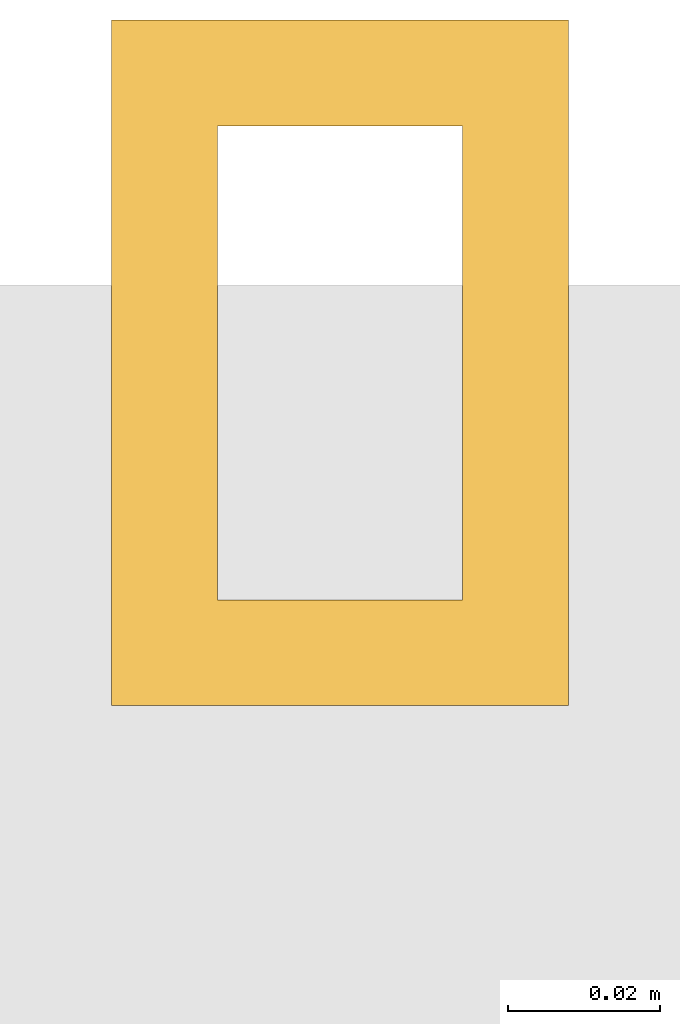
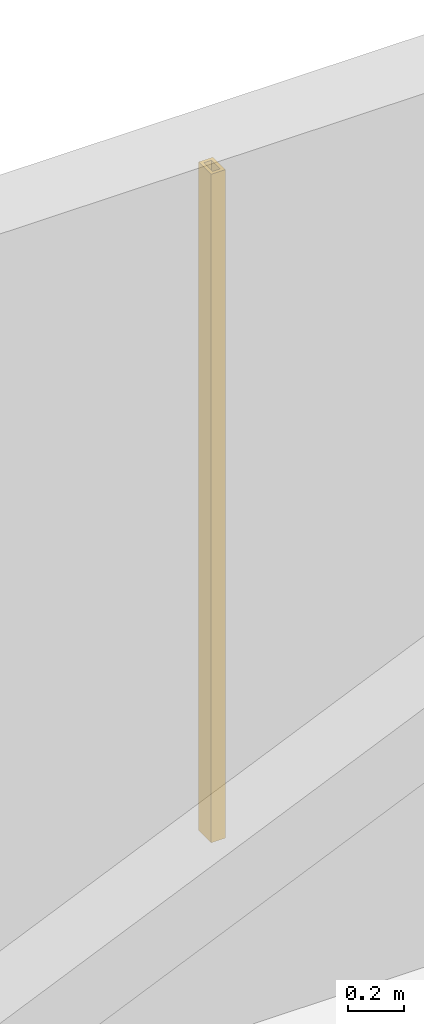
# One storey, part 40 of 41: 1 shading device.
"""IFC4 building model written with IfcOpenShell, lengths in metres."""

import ifcopenshell
import ifcopenshell.guid

model = None  # the IFC model being written
_history = None  # IfcOwnerHistory: only IFC2X3 demands one
_inside = {}  # id of a spatial element -> (the spatial element, [elements in it])
_under = {}  # id of a project, library or spatial element -> (it, [spatial elements below it])
_declared = {}  # id of a project -> (the project, [libraries it declares])
_typed = {}  # id of a type object -> (the type object, [elements of that type])
_made_of = {}  # id of a material, layer set ... -> (it, [elements and type objects made of it])


def new_model(schema):
    """Start an empty IFC model of exactly this schema.

    Asked for "IFC4X3", IfcOpenShell would pick the latest addendum, in which some entities
    have other attributes; the version numbers below select the first issue.
    IFC2X3 requires an IfcOwnerHistory on every rooted entity: one is made here for all.
    """
    global model, _history
    if schema == "IFC4X3":
        model = ifcopenshell.file(schema_version=(4, 3, 0, 0))
    else:
        model = ifcopenshell.file(schema=schema)
    _inside.clear()
    _under.clear()
    _declared.clear()
    _typed.clear()
    _made_of.clear()
    _history = None
    if model.schema == "IFC2X3":
        org = make("IfcOrganization", Name="unknown")
        user = make(
            "IfcPersonAndOrganization",
            ThePerson=make("IfcPerson", FamilyName="unknown"),
            TheOrganization=org,
        )
        app = make(
            "IfcApplication",
            ApplicationDeveloper=org,
            Version="unknown",
            ApplicationFullName="unknown",
            ApplicationIdentifier="unknown",
        )
        _history = make(
            "IfcOwnerHistory",
            OwningUser=user,
            OwningApplication=app,
            ChangeAction="ADDED",
            CreationDate=0,
        )
    return model


def make(cls, **values):
    """One entity of the class cls with the attributes given. An attribute that is None is left unset."""
    return model.create_entity(
        cls, **{name: value for name, value in values.items() if value is not None}
    )


def rooted(cls, **values):
    """An entity with a GlobalId (a new one), such as an element, a storey or a relation."""
    return make(cls, GlobalId=ifcopenshell.guid.new(), OwnerHistory=_history, **values)


def si_unit(unit_type, name, prefix=None):
    """IfcSIUnit, for example si_unit("LENGTHUNIT", "METRE", prefix="MILLI")."""
    return make("IfcSIUnit", UnitType=unit_type, Prefix=prefix, Name=name)


def assignment(units):
    """IfcUnitAssignment: the units of a project."""
    return None if units is None else make("IfcUnitAssignment", Units=units)


def point(xyz):
    """IfcCartesianPoint."""
    return None if xyz is None else make("IfcCartesianPoint", Coordinates=xyz)


def direction(xyz):
    """IfcDirection."""
    return None if xyz is None else make("IfcDirection", DirectionRatios=xyz)


def frame(location, z_axis=None, x_axis=None):
    """IfcAxis2Placement3D, a coordinate frame: its origin and axes. An axis left out is left unset."""
    return make(
        "IfcAxis2Placement3D",
        Location=point(location),
        Axis=direction(z_axis),
        RefDirection=direction(x_axis),
    )


def frame_2d(location, x_axis=None):
    """IfcAxis2Placement2D, a coordinate frame in the plane: its origin and x axis."""
    return make(
        "IfcAxis2Placement2D", Location=point(location), RefDirection=direction(x_axis)
    )


def origin():
    """The frame at (0, 0, 0) with its axes left unset."""
    return frame((0.0, 0.0, 0.0))


def origin_2d():
    """The frame at (0, 0) in the plane with its x axis left unset."""
    return frame_2d((0.0, 0.0))


def place(relative_to, where):
    """IfcLocalPlacement: puts the frame where relative to a parent placement (None: the world)."""
    return make(
        "IfcLocalPlacement", PlacementRelTo=relative_to, RelativePlacement=where
    )


def context(
    kind, dimensions, precision=None, world=None, true_north=None, identifier=None
):
    """IfcGeometricRepresentationContext, for example the 3D "Model" context."""
    return make(
        "IfcGeometricRepresentationContext",
        ContextIdentifier=identifier,
        ContextType=kind,
        CoordinateSpaceDimension=dimensions,
        Precision=precision,
        WorldCoordinateSystem=world,
        TrueNorth=true_north,
    )


def subcontext(parent, identifier, kind, view, scale=None):
    """IfcGeometricRepresentationSubContext, for example "Body" below "Model"."""
    return make(
        "IfcGeometricRepresentationSubContext",
        ContextIdentifier=identifier,
        ContextType=kind,
        ParentContext=parent,
        TargetScale=scale,
        TargetView=view,
    )


def project(units=None, contexts=None):
    """IfcProject with its units and contexts."""
    return rooted(
        "IfcProject",
        Name="project",
        RepresentationContexts=contexts,
        UnitsInContext=assignment(units),
    )


def spatial(cls, under=None, at=None, **own):
    """A site, building, storey or space (cls), placed at a placement, below another one or the project."""
    s = rooted(cls, ObjectPlacement=at, **own)
    if under is not None:
        _under.setdefault(under.id(), (under, []))[1].append(s)
    return s


def profile(cls, at=None, kind="AREA", **sizes):
    """A parametric profile (cls). Its sizes go by their IFC names, for example OverallWidth=200.0."""
    return make(cls, ProfileType=kind, Position=at, **sizes)


def hollow_rectangle(**sizes):
    """IfcRectangleHollowProfileDef."""
    return profile("IfcRectangleHollowProfileDef", **sizes)


def extrude(swept, where, along, depth):
    """IfcExtrudedAreaSolid: the profile swept, set in the frame where, extruded along a direction by depth."""
    return make(
        "IfcExtrudedAreaSolid",
        SweptArea=swept,
        Position=where,
        ExtrudedDirection=direction(along),
        Depth=depth,
    )


def shape(context_of_items, identifier, shape_type, items):
    """IfcShapeRepresentation: the items that make up one representation, for example the "Body"."""
    return make(
        "IfcShapeRepresentation",
        ContextOfItems=context_of_items,
        RepresentationIdentifier=identifier,
        RepresentationType=shape_type,
        Items=items,
    )


def material(Name=None, Category=None):
    """IfcMaterial."""
    return make("IfcMaterial", Name=Name, Category=Category)


def material_profile(
    of_material, cross_section, Name=None, Category=None, Priority=None
):
    """IfcMaterialProfile: a cross section and its material."""
    return make(
        "IfcMaterialProfile",
        Name=Name,
        Material=of_material,
        Profile=cross_section,
        Priority=Priority,
        Category=Category,
    )


def profile_set(profiles, Name=None, composite=None):
    """IfcMaterialProfileSet."""
    return make(
        "IfcMaterialProfileSet",
        Name=Name,
        MaterialProfiles=profiles,
        CompositeProfile=composite,
    )


def made_of(thing, what):
    """Note that an element or type object is made of a material, layer set ...; save() writes the relation."""
    if what is not None:
        _made_of.setdefault(what.id(), (what, []))[1].append(thing)
    return thing


def type_object(cls, material=None, **own):
    """A type object (cls), such as IfcWallType, which elements share."""
    return made_of(rooted(cls, **own), material)


def element(
    cls,
    number,
    at=None,
    inside=None,
    cuts=None,
    type_object=None,
    material=None,
    context=None,
    identifier="Body",
    shape_type=None,
    held_by="IfcProductDefinitionShape",
    body=None,
    shapes=None,
    **own,
):
    """One element of the class cls, such as IfcWall. Its Tag is "e" and its number.

    at: its placement. inside: the storey or other place that contains it. cuts: it is an
    opening in that element (IfcRelVoidsElement). A single representation is given by context,
    identifier, shape_type and body (its items); several are given by shapes. held_by: the class
    of the entity that holds the representations. save() writes the other relations.
    """
    e = rooted(cls, Tag="e%d" % number, ObjectPlacement=at, **own)
    if body is not None:
        shapes = [shape(context, identifier, shape_type, body)]
    if shapes is not None:
        e.Representation = make(held_by, Representations=shapes)
    if inside is not None:
        _inside.setdefault(inside.id(), (inside, []))[1].append(e)
    if cuts is not None:
        rooted(
            "IfcRelVoidsElement", RelatingBuildingElement=cuts, RelatedOpeningElement=e
        )
    if type_object is not None:
        _typed.setdefault(type_object.id(), (type_object, []))[1].append(e)
    return made_of(e, material)


def aggregate(whole, parts):
    """IfcRelAggregates: a whole, such as a stair, and the parts it consists of."""
    return rooted("IfcRelAggregates", RelatingObject=whole, RelatedObjects=parts)


def save(model, path):
    """Write the relations noted so far, then the file.

    IfcRelAggregates (storeys below a building ...), IfcRelContainedInSpatialStructure (elements
    in a storey), IfcRelDefinesByType, IfcRelAssociatesMaterial and IfcRelDeclares: one each for
    every whole, place, type object, material and project.
    """
    for whole, parts in _under.values():
        aggregate(whole, parts)
    for where, things in _inside.values():
        rooted(
            "IfcRelContainedInSpatialStructure",
            RelatedElements=things,
            RelatingStructure=where,
        )
    for kind, things in _typed.values():
        rooted("IfcRelDefinesByType", RelatedObjects=things, RelatingType=kind)
    for what, things in _made_of.values():
        rooted("IfcRelAssociatesMaterial", RelatedObjects=things, RelatingMaterial=what)
    for by, libraries in _declared.values():
        rooted("IfcRelDeclares", RelatingContext=by, RelatedDefinitions=libraries)
    model.write(path)


model = new_model("IFC4")

# Units and contexts
model_context = context("Model", 3, precision=1e-05, world=origin(), true_north=direction((0.0, 1.0)))
body_context = subcontext(model_context, "Body", "Model", "MODEL_VIEW")
ifc_project = project(units=[si_unit("LENGTHUNIT", "METRE"), si_unit("AREAUNIT", "SQUARE_METRE"), si_unit("VOLUMEUNIT", "CUBIC_METRE"), si_unit("PLANEANGLEUNIT", "RADIAN"), si_unit("MASSUNIT", "GRAM", prefix="KILO")], contexts=[model_context])

# Site, building, storey
site_placement = place(None, origin())
site = spatial("IfcSite", under=ifc_project, at=site_placement, CompositionType="ELEMENT")
building_placement = place(site_placement, origin())
building = spatial("IfcBuilding", under=site, at=building_placement, Name="Punatoya Terracotta Tower", CompositionType="ELEMENT")
storey_placement = place(building_placement, frame((0.0, 0.0, 220.800048828125)))
storey = spatial("IfcBuildingStorey", under=building, at=storey_placement, Name="L52", CompositionType="ELEMENT", Elevation=220.800048828125)

# Shading device
ifc_material = material(Name="Architectural Fired Terracotta", Category="masonry")
ifc_material_profile = material_profile(ifc_material, hollow_rectangle(XDim=0.06005859375, YDim=0.090087890625, WallThickness=0.013916015625, at=origin_2d()))
ifc_profile_set = profile_set([ifc_material_profile], Name="Architectural Fired Terracotta")
shading_device_type = type_object("IfcShadingDeviceType", Name="SHD-JALI-90", PredefinedType="JALOUSIE", material=ifc_profile_set)
shading_device_placement = place(storey_placement, frame((0.0, 18.64990234375, 0.599853515625), z_axis=(0.0, 0.0, 1.0), x_axis=(1.0, 0.0, 0.0)))
element("IfcShadingDevice", 1, at=shading_device_placement, inside=storey, type_object=shading_device_type, Name="L52 Braced Bay Terracotta Jali Fin N1", PredefinedType="JALOUSIE", context=body_context, shape_type="SweptSolid", body=[
    extrude(hollow_rectangle(XDim=0.06005859375, YDim=0.090087890625, WallThickness=0.013916015625, at=origin_2d()), origin(), (0.0, 0.0, 1.0), 2.93017578125),
])

save(model, "model.ifc")
